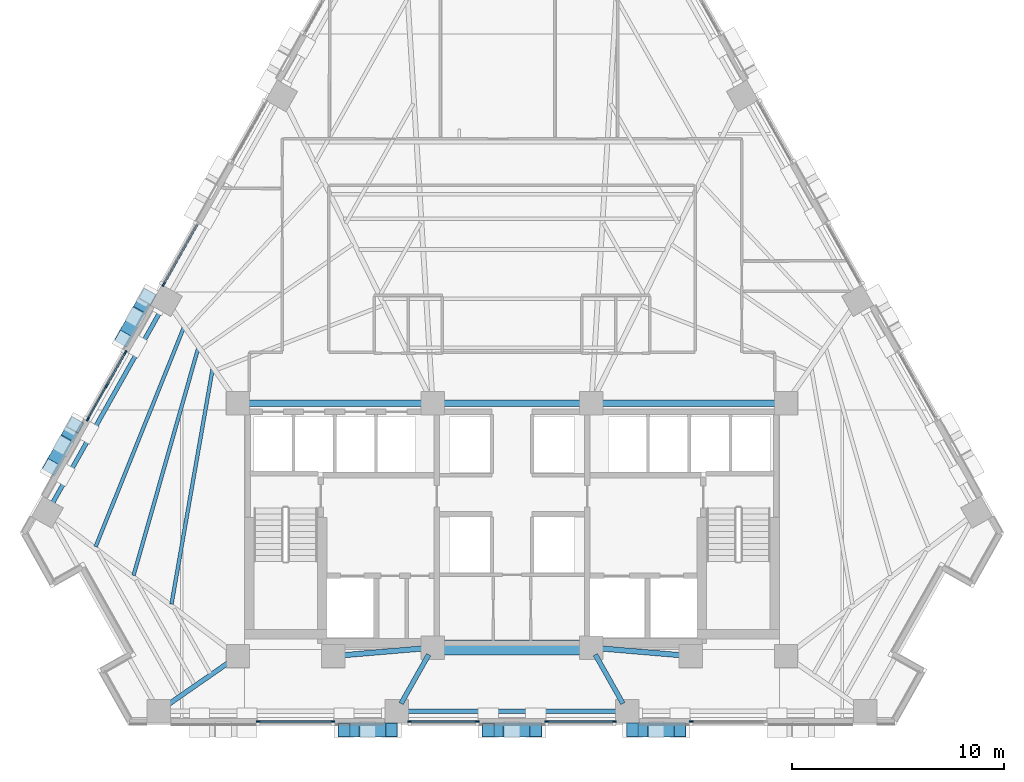
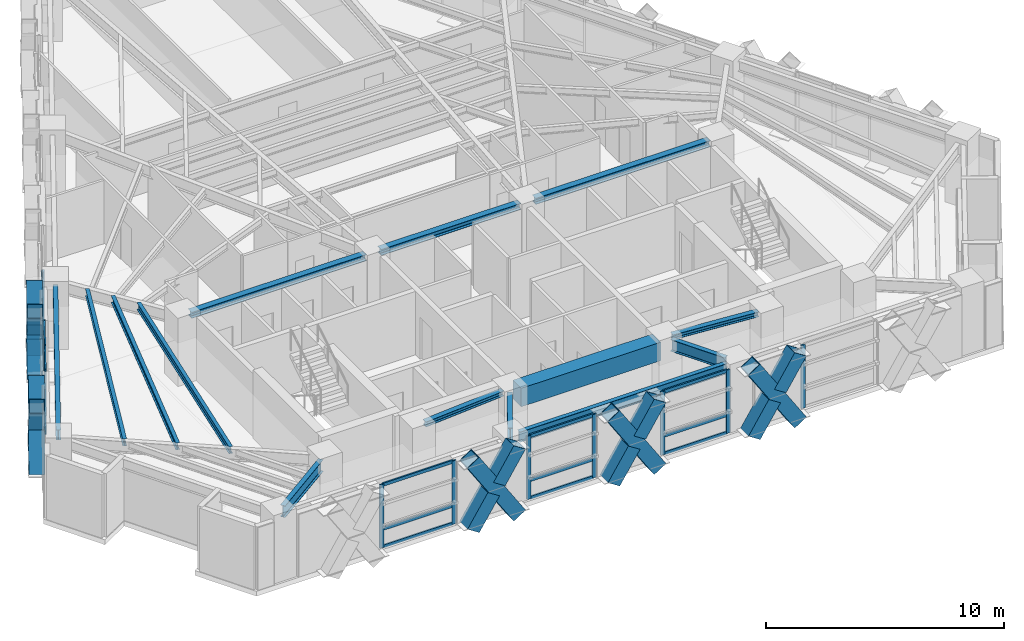
# One storey, part 2 of 14: 43 members, 14 beams, 6 elements without a shape of their own.
"""IFC4 building model written with IfcOpenShell, lengths in metres."""

from ifc_helpers import new_model, si_unit, direction, frame, origin, origin_2d, place, context, subcontext, project, spatial, rectangle, hollow_rectangle, i_section, extrude, material, material_profile, profile_set, type_object, element, aggregate, save


model = new_model("IFC4")

# Units and contexts
model_context = context("Model", 3, precision=1e-05, world=origin(), true_north=direction((0.0, 1.0)))
body_context = subcontext(model_context, "Body", "Model", "MODEL_VIEW")
ifc_project = project(units=[si_unit("LENGTHUNIT", "METRE"), si_unit("AREAUNIT", "SQUARE_METRE"), si_unit("VOLUMEUNIT", "CUBIC_METRE"), si_unit("PLANEANGLEUNIT", "RADIAN"), si_unit("MASSUNIT", "GRAM", prefix="KILO")], contexts=[model_context])

# Site, building, storey
site_placement = place(None, origin())
site = spatial("IfcSite", under=ifc_project, at=site_placement, CompositionType="ELEMENT")
building_placement = place(site_placement, origin())
building = spatial("IfcBuilding", under=site, at=building_placement, Name="Quenlor Broadcast Tower", CompositionType="ELEMENT")
storey_placement = place(building_placement, frame((0.0, 0.0, 80.10009765625)))
storey = spatial("IfcBuildingStorey", under=building, at=storey_placement, Name="L21", CompositionType="ELEMENT", Elevation=80.10009765625)

# Curtain wall, member
ifc_material_1 = material(Name="Architectural Terracotta and Low-E Glazing", Category="masonry")
curtain_wall_type = type_object("IfcCurtainWallType", Name="Unitised Terracotta Curtain Wall System Z2", PredefinedType="NOTDEFINED", material=ifc_material_1)
curtain_wall_1_placement = place(storey_placement, origin())
curtain_wall_1 = element("IfcCurtainWall", 1, at=curtain_wall_1_placement, inside=storey, type_object=curtain_wall_type, Name="L21 Curtain Wall CW2 (L21-SA-G1)", PredefinedType="NOTDEFINED")
ifc_material_2 = material(Name="Aluminium 6063-T6", Category="aluminium")
ifc_material_profile_1 = material_profile(ifc_material_2, rectangle(XDim=0.074951171875, YDim=0.199951171875, at=origin_2d()))
ifc_profile_set_1 = profile_set([ifc_material_profile_1], Name="Aluminium 6063-T6 MULL75x200")
member_type_1 = type_object("IfcMemberType", Name="CW2 Aluminium Mullion MULL_CW2", PredefinedType="MULLION", material=ifc_profile_set_1)
member_1_placement = place(storey_placement, frame((8.47119140625, -19.840087890625, 0.0), z_axis=(0.0, 0.0, 1.0), x_axis=(0.0, -1.0, 0.0)))
member_1 = element("IfcMember", 2, at=member_1_placement, type_object=member_type_1, Name="CW2 mullion 2", PredefinedType="MULLION", context=body_context, shape_type="SweptSolid", body=[
    extrude(rectangle(XDim=0.074951171875, YDim=0.199951171875, at=origin_2d()), origin(), (0.0, 0.0, 1.0), 3.25),
])
aggregate(curtain_wall_1, [member_1])

# Curtain wall, members
curtain_wall_2_placement = place(storey_placement, origin())
curtain_wall_2 = element("IfcCurtainWall", 3, at=curtain_wall_2_placement, inside=storey, type_object=curtain_wall_type, Name="L21 Curtain Wall CW2 (L21-SC-G1)", PredefinedType="NOTDEFINED")
member_2_placement = place(storey_placement, frame((-8.47119140625, -19.840087890625, 0.0), z_axis=(0.0, 0.0, 1.0), x_axis=(0.0, -1.0, 0.0)))
member_2 = element("IfcMember", 4, at=member_2_placement, type_object=member_type_1, Name="CW2 mullion 1", PredefinedType="MULLION", context=body_context, shape_type="SweptSolid", body=[
    extrude(rectangle(XDim=0.074951171875, YDim=0.199951171875, at=origin_2d()), origin(), (0.0, 0.0, 1.0), 3.25),
])
member_3_placement = place(storey_placement, frame((-11.981689453125, -19.840087890625, 0.0), z_axis=(0.0, 0.0, 1.0), x_axis=(0.0, -1.0, 0.0)))
member_3 = element("IfcMember", 5, at=member_3_placement, type_object=member_type_1, Name="CW2 mullion 2", PredefinedType="MULLION", context=body_context, shape_type="SweptSolid", body=[
    extrude(rectangle(XDim=0.074951171875, YDim=0.199951171875, at=origin_2d()), origin(), (0.0, 0.0, 1.0), 3.25),
])

curtain_wall_3_placement = place(storey_placement, origin())
curtain_wall_3 = element("IfcCurtainWall", 6, at=curtain_wall_3_placement, inside=storey, type_object=curtain_wall_type, Name="L21 Curtain Wall CW2 (L21-S-G1)", PredefinedType="NOTDEFINED")
member_4_placement = place(storey_placement, frame((4.835693359375, -19.840087890625, 0.0), z_axis=(0.0, 0.0, 1.0), x_axis=(0.0, -1.0, 0.0)))
member_4 = element("IfcMember", 7, at=member_4_placement, type_object=member_type_1, Name="CW2 mullion 1", PredefinedType="MULLION", context=body_context, shape_type="SweptSolid", body=[
    extrude(rectangle(XDim=0.074951171875, YDim=0.199951171875, at=origin_2d()), origin(), (0.0, 0.0, 1.0), 3.25),
])
member_5_placement = place(storey_placement, frame((1.653564453125, -19.840087890625, 0.0), z_axis=(0.0, 0.0, 1.0), x_axis=(0.0, -1.0, 0.0)))
member_5 = element("IfcMember", 8, at=member_5_placement, type_object=member_type_1, Name="CW2 mullion 2", PredefinedType="MULLION", context=body_context, shape_type="SweptSolid", body=[
    extrude(rectangle(XDim=0.074951171875, YDim=0.199951171875, at=origin_2d()), origin(), (0.0, 0.0, 1.0), 3.25),
])

curtain_wall_4_placement = place(storey_placement, origin())
curtain_wall_4 = element("IfcCurtainWall", 9, at=curtain_wall_4_placement, inside=storey, type_object=curtain_wall_type, Name="L21 Curtain Wall CW2 (L21-S-G2)", PredefinedType="NOTDEFINED")
member_6_placement = place(storey_placement, frame((-1.653564453125, -19.840087890625, 0.0), z_axis=(0.0, 0.0, 1.0), x_axis=(0.0, -1.0, 0.0)))
member_6 = element("IfcMember", 10, at=member_6_placement, type_object=member_type_1, Name="CW2 mullion 1", PredefinedType="MULLION", context=body_context, shape_type="SweptSolid", body=[
    extrude(rectangle(XDim=0.074951171875, YDim=0.199951171875, at=origin_2d()), origin(), (0.0, 0.0, 1.0), 3.25),
])
member_7_placement = place(storey_placement, frame((-4.835693359375, -19.840087890625, 0.0), z_axis=(0.0, 0.0, 1.0), x_axis=(0.0, -1.0, 0.0)))
member_7 = element("IfcMember", 11, at=member_7_placement, type_object=member_type_1, Name="CW2 mullion 2", PredefinedType="MULLION", context=body_context, shape_type="SweptSolid", body=[
    extrude(rectangle(XDim=0.074951171875, YDim=0.199951171875, at=origin_2d()), origin(), (0.0, 0.0, 1.0), 3.25),
])

curtain_wall_5_placement = place(storey_placement, origin())
curtain_wall_5 = element("IfcCurtainWall", 12, at=curtain_wall_5_placement, inside=storey, type_object=curtain_wall_type, Name="L21 Curtain Wall CW2 (L21-NWA-G1)", PredefinedType="NOTDEFINED")
member_8_placement = place(storey_placement, frame((-20.0400390625, -5.55322265625, 0.0), z_axis=(0.0, 0.0, 1.0), x_axis=(-0.871566839915, 0.490276701018, 0.0)))
member_8 = element("IfcMember", 13, at=member_8_placement, type_object=member_type_1, Name="CW2 mullion 1", PredefinedType="MULLION", context=body_context, shape_type="SweptSolid", body=[
    extrude(rectangle(XDim=0.074951171875, YDim=0.199951171875, at=origin_2d()), origin(), (0.0, 0.0, 1.0), 3.25),
])
member_9_placement = place(storey_placement, frame((-19.155029296875, -3.97998046875, 0.0), z_axis=(0.0, 0.0, 1.0), x_axis=(-0.871566839915, 0.490276701018, 0.0)))
member_9 = element("IfcMember", 14, at=member_9_placement, type_object=member_type_1, Name="CW2 mullion 2", PredefinedType="MULLION", context=body_context, shape_type="SweptSolid", body=[
    extrude(rectangle(XDim=0.074951171875, YDim=0.199951171875, at=origin_2d()), origin(), (0.0, 0.0, 1.0), 3.25),
])
member_10_placement = place(storey_placement, frame((-18.270263671875, -2.406982421875, 0.0), z_axis=(0.0, 0.0, 1.0), x_axis=(-0.871566839915, 0.490276701018, 0.0)))
member_10 = element("IfcMember", 15, at=member_10_placement, type_object=member_type_1, Name="CW2 mullion 3", PredefinedType="MULLION", context=body_context, shape_type="SweptSolid", body=[
    extrude(rectangle(XDim=0.074951171875, YDim=0.199951171875, at=origin_2d()), origin(), (0.0, 0.0, 1.0), 3.25),
])

# Curtain wall, member
curtain_wall_6_placement = place(storey_placement, origin())
curtain_wall_6 = element("IfcCurtainWall", 16, at=curtain_wall_6_placement, inside=storey, type_object=curtain_wall_type, Name="L21 Curtain Wall CW2 (L21-NW-G1)", PredefinedType="NOTDEFINED")
member_11_placement = place(storey_placement, frame((-16.459228515625, 0.812744140625, 0.0), z_axis=(0.0, 0.0, 1.0), x_axis=(-0.871575537123, 0.490261239636, 0.0)))
member_11 = element("IfcMember", 17, at=member_11_placement, type_object=member_type_1, Name="CW2 mullion 1", PredefinedType="MULLION", context=body_context, shape_type="SweptSolid", body=[
    extrude(rectangle(XDim=0.074951171875, YDim=0.199951171875, at=origin_2d()), origin(), (0.0, 0.0, 1.0), 3.25),
])

# Member
ifc_material_3 = material(Name="Aluminium 6063-T6", Category="aluminium")
ifc_material_profile_2 = material_profile(ifc_material_3, rectangle(XDim=0.074951171875, YDim=0.1650390625, at=origin_2d()))
ifc_profile_set_2 = profile_set([ifc_material_profile_2], Name="Aluminium 6063-T6 TRAN75x165")
member_type_2 = type_object("IfcMemberType", Name="CW2 Aluminium Transom TRAN_CW2", PredefinedType="USERDEFINED", material=ifc_profile_set_2)
member_12_placement = place(storey_placement, frame((-8.508544921875, -19.840087890625, 0.037353515625), z_axis=(-1.0, 0.0, 0.0), x_axis=(0.0, -1.0, 0.0)))
member_12 = element("IfcMember", 18, at=member_12_placement, type_object=member_type_2, Name="CW2 transom 1.1", ObjectType="TRANSOM", PredefinedType="USERDEFINED", context=body_context, shape_type="SweptSolid", body=[
    extrude(rectangle(XDim=0.074951171875, YDim=0.1650390625, at=origin_2d()), origin(), (0.0, 0.0, 1.0), 3.435546875),
])

member_13_placement = place(storey_placement, frame((-8.508544921875, -19.840087890625, 0.949951171875), z_axis=(-1.0, 0.0, 0.0), x_axis=(0.0, -1.0, 0.0)))
member_13 = element("IfcMember", 19, at=member_13_placement, type_object=member_type_2, Name="CW2 transom 1.2", ObjectType="TRANSOM", PredefinedType="USERDEFINED", context=body_context, shape_type="SweptSolid", body=[
    extrude(rectangle(XDim=0.074951171875, YDim=0.1650390625, at=origin_2d()), origin(), (0.0, 0.0, 1.0), 3.435546875),
])

member_14_placement = place(storey_placement, frame((-8.508544921875, -19.840087890625, 3.21240234375), z_axis=(-1.0, 0.0, 0.0), x_axis=(0.0, -1.0, 0.0)))
member_14 = element("IfcMember", 20, at=member_14_placement, type_object=member_type_2, Name="CW2 transom 1.3", ObjectType="TRANSOM", PredefinedType="USERDEFINED", context=body_context, shape_type="SweptSolid", body=[
    extrude(rectangle(XDim=0.074951171875, YDim=0.1650390625, at=origin_2d()), origin(), (0.0, 0.0, 1.0), 3.435546875),
])

aggregate(curtain_wall_2, [member_2, member_3, member_12, member_13, member_14])

member_15_placement = place(storey_placement, frame((4.798095703125, -19.840087890625, 0.037353515625), z_axis=(-1.0, 0.0, 0.0), x_axis=(0.0, -1.0, 0.0)))
member_15 = element("IfcMember", 21, at=member_15_placement, type_object=member_type_2, Name="CW2 transom 1.1", ObjectType="TRANSOM", PredefinedType="USERDEFINED", context=body_context, shape_type="SweptSolid", body=[
    extrude(rectangle(XDim=0.074951171875, YDim=0.1650390625, at=origin_2d()), origin(), (0.0, 0.0, 1.0), 3.107177734375),
])

member_16_placement = place(storey_placement, frame((4.798095703125, -19.840087890625, 0.949951171875), z_axis=(-1.0, 0.0, 0.0), x_axis=(0.0, -1.0, 0.0)))
member_16 = element("IfcMember", 22, at=member_16_placement, type_object=member_type_2, Name="CW2 transom 1.2", ObjectType="TRANSOM", PredefinedType="USERDEFINED", context=body_context, shape_type="SweptSolid", body=[
    extrude(rectangle(XDim=0.074951171875, YDim=0.1650390625, at=origin_2d()), origin(), (0.0, 0.0, 1.0), 3.107177734375),
])

member_17_placement = place(storey_placement, frame((4.798095703125, -19.840087890625, 3.21240234375), z_axis=(-1.0, 0.0, 0.0), x_axis=(0.0, -1.0, 0.0)))
member_17 = element("IfcMember", 23, at=member_17_placement, type_object=member_type_2, Name="CW2 transom 1.3", ObjectType="TRANSOM", PredefinedType="USERDEFINED", context=body_context, shape_type="SweptSolid", body=[
    extrude(rectangle(XDim=0.074951171875, YDim=0.1650390625, at=origin_2d()), origin(), (0.0, 0.0, 1.0), 3.107177734375),
])

aggregate(curtain_wall_3, [member_4, member_5, member_15, member_16, member_17])

member_18_placement = place(storey_placement, frame((-1.69091796875, -19.840087890625, 0.037353515625), z_axis=(-1.0, 0.0, 0.0), x_axis=(0.0, -1.0, 0.0)))
member_18 = element("IfcMember", 24, at=member_18_placement, type_object=member_type_2, Name="CW2 transom 1.1", ObjectType="TRANSOM", PredefinedType="USERDEFINED", context=body_context, shape_type="SweptSolid", body=[
    extrude(rectangle(XDim=0.074951171875, YDim=0.1650390625, at=origin_2d()), origin(), (0.0, 0.0, 1.0), 3.107177734375),
])

member_19_placement = place(storey_placement, frame((-1.69091796875, -19.840087890625, 0.949951171875), z_axis=(-1.0, 0.0, 0.0), x_axis=(0.0, -1.0, 0.0)))
member_19 = element("IfcMember", 25, at=member_19_placement, type_object=member_type_2, Name="CW2 transom 1.2", ObjectType="TRANSOM", PredefinedType="USERDEFINED", context=body_context, shape_type="SweptSolid", body=[
    extrude(rectangle(XDim=0.074951171875, YDim=0.1650390625, at=origin_2d()), origin(), (0.0, 0.0, 1.0), 3.107177734375),
])

member_20_placement = place(storey_placement, frame((-1.69091796875, -19.840087890625, 3.21240234375), z_axis=(-1.0, 0.0, 0.0), x_axis=(0.0, -1.0, 0.0)))
member_20 = element("IfcMember", 26, at=member_20_placement, type_object=member_type_2, Name="CW2 transom 1.3", ObjectType="TRANSOM", PredefinedType="USERDEFINED", context=body_context, shape_type="SweptSolid", body=[
    extrude(rectangle(XDim=0.074951171875, YDim=0.1650390625, at=origin_2d()), origin(), (0.0, 0.0, 1.0), 3.107177734375),
])

aggregate(curtain_wall_4, [member_6, member_7, member_18, member_19, member_20])

member_21_placement = place(storey_placement, frame((-20.021728515625, -5.5205078125, 0.037353515625), z_axis=(0.490261239633, 0.871575537125, 0.0), x_axis=(-0.871575537125, 0.490261239633, 0.0)))
member_21 = element("IfcMember", 27, at=member_21_placement, type_object=member_type_2, Name="CW2 transom 1.1", ObjectType="TRANSOM", PredefinedType="USERDEFINED", context=body_context, shape_type="SweptSolid", body=[
    extrude(rectangle(XDim=0.074951171875, YDim=0.1650390625, at=origin_2d()), origin(), (0.0, 0.0, 1.0), 1.72998046875),
])

member_22_placement = place(storey_placement, frame((-20.021728515625, -5.5205078125, 0.949951171875), z_axis=(0.490261239633, 0.871575537125, 0.0), x_axis=(-0.871575537125, 0.490261239633, 0.0)))
member_22 = element("IfcMember", 28, at=member_22_placement, type_object=member_type_2, Name="CW2 transom 1.2", ObjectType="TRANSOM", PredefinedType="USERDEFINED", context=body_context, shape_type="SweptSolid", body=[
    extrude(rectangle(XDim=0.074951171875, YDim=0.1650390625, at=origin_2d()), origin(), (0.0, 0.0, 1.0), 1.72998046875),
])

member_23_placement = place(storey_placement, frame((-20.021728515625, -5.5205078125, 3.21240234375), z_axis=(0.490261239633, 0.871575537125, 0.0), x_axis=(-0.871575537125, 0.490261239633, 0.0)))
member_23 = element("IfcMember", 29, at=member_23_placement, type_object=member_type_2, Name="CW2 transom 1.3", ObjectType="TRANSOM", PredefinedType="USERDEFINED", context=body_context, shape_type="SweptSolid", body=[
    extrude(rectangle(XDim=0.074951171875, YDim=0.1650390625, at=origin_2d()), origin(), (0.0, 0.0, 1.0), 1.72998046875),
])

member_24_placement = place(storey_placement, frame((-19.13671875, -3.947265625, 0.037353515625), z_axis=(0.490261239633, 0.871575537125, 0.0), x_axis=(-0.871575537125, 0.490261239633, 0.0)))
member_24 = element("IfcMember", 30, at=member_24_placement, type_object=member_type_2, Name="CW2 transom 2.1", ObjectType="TRANSOM", PredefinedType="USERDEFINED", context=body_context, shape_type="SweptSolid", body=[
    extrude(rectangle(XDim=0.074951171875, YDim=0.1650390625, at=origin_2d()), origin(), (0.0, 0.0, 1.0), 1.72998046875),
])

member_25_placement = place(storey_placement, frame((-19.13671875, -3.947265625, 0.949951171875), z_axis=(0.490261239633, 0.871575537125, 0.0), x_axis=(-0.871575537125, 0.490261239633, 0.0)))
member_25 = element("IfcMember", 31, at=member_25_placement, type_object=member_type_2, Name="CW2 transom 2.2", ObjectType="TRANSOM", PredefinedType="USERDEFINED", context=body_context, shape_type="SweptSolid", body=[
    extrude(rectangle(XDim=0.074951171875, YDim=0.1650390625, at=origin_2d()), origin(), (0.0, 0.0, 1.0), 1.72998046875),
])

member_26_placement = place(storey_placement, frame((-19.13671875, -3.947265625, 3.21240234375), z_axis=(0.490261239633, 0.871575537125, 0.0), x_axis=(-0.871575537125, 0.490261239633, 0.0)))
member_26 = element("IfcMember", 32, at=member_26_placement, type_object=member_type_2, Name="CW2 transom 2.3", ObjectType="TRANSOM", PredefinedType="USERDEFINED", context=body_context, shape_type="SweptSolid", body=[
    extrude(rectangle(XDim=0.074951171875, YDim=0.1650390625, at=origin_2d()), origin(), (0.0, 0.0, 1.0), 1.72998046875),
])

aggregate(curtain_wall_5, [member_8, member_9, member_10, member_21, member_22, member_23, member_24, member_25, member_26])

member_27_placement = place(storey_placement, frame((-16.44091796875, 0.845458984375, 0.037353515625), z_axis=(0.490297543358, 0.871555115283, 0.0), x_axis=(-0.871555115283, 0.490297543358, 0.0)))
member_27 = element("IfcMember", 33, at=member_27_placement, type_object=member_type_2, Name="CW2 transom 1.1", ObjectType="TRANSOM", PredefinedType="USERDEFINED", context=body_context, shape_type="SweptSolid", body=[
    extrude(rectangle(XDim=0.074951171875, YDim=0.1650390625, at=origin_2d()), origin(), (0.0, 0.0, 1.0), 3.19287109375),
])

member_28_placement = place(storey_placement, frame((-16.44091796875, 0.845458984375, 0.949951171875), z_axis=(0.490297543358, 0.871555115283, 0.0), x_axis=(-0.871555115283, 0.490297543358, 0.0)))
member_28 = element("IfcMember", 34, at=member_28_placement, type_object=member_type_2, Name="CW2 transom 1.2", ObjectType="TRANSOM", PredefinedType="USERDEFINED", context=body_context, shape_type="SweptSolid", body=[
    extrude(rectangle(XDim=0.074951171875, YDim=0.1650390625, at=origin_2d()), origin(), (0.0, 0.0, 1.0), 3.19287109375),
])

aggregate(curtain_wall_6, [member_11, member_27, member_28])

# Beams
ifc_material_4 = material(Name="Concrete C50/60", Category="concrete")
ifc_material_profile_3 = material_profile(ifc_material_4, rectangle(XDim=0.699951171875, YDim=0.949951171875, at=origin_2d()))
ifc_profile_set_3 = profile_set([ifc_material_profile_3], Name="Concrete C50/60 RCB700x950")
beam_type_1 = type_object("IfcBeamType", Name="Core Coupling Beam Concrete C50/60 700x950", PredefinedType="BEAM", material=ifc_profile_set_3)
beam_1_placement = place(storey_placement, frame((-3.389892578125, -16.35009765625, 2.77490234375), z_axis=(1.0, 0.0, 0.0), x_axis=(0.0, 1.0, 0.0)))
element("IfcBeam", 35, at=beam_1_placement, inside=storey, type_object=beam_type_1, Name="L21 Core Coupling Beam 6", PredefinedType="BEAM", context=body_context, shape_type="SweptSolid", body=[
    extrude(rectangle(XDim=0.699951171875, YDim=0.949951171875, at=origin_2d()), origin(), (0.0, 0.0, 1.0), 6.77978515625),
])
ifc_material_5 = material(Name="Steel S355", Category="steel")
ifc_material_profile_4 = material_profile(ifc_material_5, i_section(OverallWidth=0.304931640625, OverallDepth=0.30810546875, WebThickness=0.010009765625, FlangeThickness=0.015380859375, FilletRadius=0.0166015625, at=origin_2d()))
ifc_profile_set_4 = profile_set([ifc_material_profile_4], Name="Steel S355 310UC96.8")
beam_type_2 = type_object("IfcBeamType", Name="Core Header Beam Steel S355 310UC96.8", PredefinedType="BEAM", material=ifc_profile_set_4)
beam_2_placement = place(storey_placement, frame((-3.389892578125, -4.800048828125, 3.095947265625), z_axis=(1.0, 0.0, 0.0), x_axis=(0.0, 1.0, 0.0)))
element("IfcBeam", 36, at=beam_2_placement, inside=storey, type_object=beam_type_2, Name="L21 Core Header Beam 2", PredefinedType="BEAM", context=body_context, shape_type="SweptSolid", body=[
    extrude(i_section(OverallWidth=0.304931640625, OverallDepth=0.30810546875, WebThickness=0.010009765625, FlangeThickness=0.015380859375, FilletRadius=0.0166015625, at=origin_2d()), origin(), (0.0, 0.0, 1.0), 6.77978515625),
])
ifc_material_6 = material(Name="Steel S355", Category="steel")
ifc_material_profile_5 = material_profile(ifc_material_6, i_section(OverallWidth=0.25390625, OverallDepth=0.25390625, WebThickness=0.008544921875, FlangeThickness=0.01416015625, FilletRadius=0.013916015625, at=origin_2d()))
ifc_profile_set_5 = profile_set([ifc_material_profile_5], Name="Steel S355 250UC72.9")
beam_type_3 = type_object("IfcBeamType", Name="Core Opening Lintel Beam Steel S355 250UC72.9", PredefinedType="LINTEL", material=ifc_profile_set_5)
for number, where, z_axis, x_axis, name in (
    (37, (-8.09130859375, -16.719482421875, 3.123046875), (0.996399763903, 0.084779186679, 0.0), (-0.084779186679, 0.996399763903, 0.0), "L21 Core Opening Lintel Beam 4"),
    (38, (4.108642578125, -16.380615234375, 3.123046875), (0.996399763903, -0.084779186679, 0.0), (0.084779186679, 0.996399763903, 0.0), "L21 Core Opening Lintel Beam 5"),
):
    element("IfcBeam", number, at=place(storey_placement, frame(where, z_axis=z_axis, x_axis=x_axis)), inside=storey, type_object=beam_type_3, Name=name, PredefinedType="LINTEL", context=body_context, shape_type="SweptSolid", body=[
        extrude(i_section(OverallWidth=0.25390625, OverallDepth=0.25390625, WebThickness=0.008544921875, FlangeThickness=0.01416015625, FilletRadius=0.013916015625, at=origin_2d()), origin(), (0.0, 0.0, 1.0), 3.9970703125),
    ])
ifc_material_7 = material(Name="Steel S355", Category="steel")
ifc_material_profile_6 = material_profile(ifc_material_7, i_section(OverallWidth=0.306884765625, OverallDepth=0.314697265625, WebThickness=0.011962890625, FlangeThickness=0.018798828125, FilletRadius=0.0166015625, at=origin_2d()))
ifc_profile_set_6 = profile_set([ifc_material_profile_6], Name="Steel S355 310UC118")
beam_type_4 = type_object("IfcBeamType", Name="Core Tie Beam Steel S355 310UC118", PredefinedType="BEAM", material=ifc_profile_set_6)
for number, where, z_axis, x_axis, name in (
    (39, (-12.590087890625, -4.800048828125, 3.092529296875), (1.0, 0.0, 0.0), (0.0, 1.0, 0.0), "L21 Core Tie Beam 1"),
    (40, (4.110107421875, -4.800048828125, 3.092529296875), (1.0, 0.0, 0.0), (0.0, 1.0, 0.0), "L21 Core Tie Beam 3"),
):
    element("IfcBeam", number, at=place(storey_placement, frame(where, z_axis=z_axis, x_axis=x_axis)), inside=storey, type_object=beam_type_4, Name=name, PredefinedType="BEAM", context=body_context, shape_type="SweptSolid", body=[
        extrude(i_section(OverallWidth=0.306884765625, OverallDepth=0.314697265625, WebThickness=0.011962890625, FlangeThickness=0.018798828125, FilletRadius=0.0166015625, at=origin_2d()), origin(), (0.0, 0.0, 1.0), 8.47998046875),
    ])

# Members
ifc_material_8 = material(Name="Steel S355", Category="steel")
ifc_material_profile_7 = material_profile(ifc_material_8, hollow_rectangle(XDim=0.679931640625, YDim=0.679931640625, WallThickness=0.030029296875, at=origin_2d()))
ifc_profile_set_7 = profile_set([ifc_material_profile_7], Name="Steel S355 RHS680x680x30")
member_type_3 = type_object("IfcMemberType", Name="Perimeter Diagonal Lattice Brace Z2 Steel S355 RHS680x30", PredefinedType="BRACE", material=ifc_profile_set_7)
member_29_placement = place(storey_placement, frame((7.940185546875, -20.235107421875, -0.1201171875), z_axis=(-0.539926440573, 0.0, 0.841712206618), x_axis=(0.0, -1.0, 0.0)))
element("IfcMember", 41, at=member_29_placement, inside=storey, type_object=member_type_3, Name="L21 Perimeter Diamond Lattice S-C2XA", PredefinedType="BRACE", context=body_context, shape_type="SweptSolid", body=[
    extrude(hollow_rectangle(XDim=0.679931640625, YDim=0.679931640625, WallThickness=0.030029296875, at=origin_2d()), origin(), (0.0, 0.0, 1.0), 4.158203125),
])
for number, where, z_axis, x_axis, name in (
    (42, (5.695068359375, -20.235107421875, -0.1201171875), (0.539920793993, 0.0, 0.841715828658), (0.0, 1.0, 0.0), "L21 Perimeter Diamond Lattice S-C2XB1"),
    (43, (6.95263671875, -20.235107421875, 1.84033203125), (0.539920793993, 0.0, 0.841715828658), (0.0, 1.0, 0.0), "L21 Perimeter Diamond Lattice S-C2XB2"),
):
    element("IfcMember", number, at=place(storey_placement, frame(where, z_axis=z_axis, x_axis=x_axis)), inside=storey, type_object=member_type_3, Name=name, PredefinedType="BRACE", context=body_context, shape_type="SweptSolid", body=[
        extrude(hollow_rectangle(XDim=0.679931640625, YDim=0.679931640625, WallThickness=0.030029296875, at=origin_2d()), origin(), (0.0, 0.0, 1.0), 1.8291015625),
    ])
member_30_placement = place(storey_placement, frame((1.12255859375, -20.235107421875, -0.1201171875), z_axis=(-0.539926440573, 0.0, 0.841712206618), x_axis=(0.0, -1.0, 0.0)))
element("IfcMember", 44, at=member_30_placement, inside=storey, type_object=member_type_3, Name="L21 Perimeter Diamond Lattice S-C3XA", PredefinedType="BRACE", context=body_context, shape_type="SweptSolid", body=[
    extrude(hollow_rectangle(XDim=0.679931640625, YDim=0.679931640625, WallThickness=0.030029296875, at=origin_2d()), origin(), (0.0, 0.0, 1.0), 4.158203125),
])
for number, where, z_axis, x_axis, name in (
    (45, (-1.12255859375, -20.235107421875, -0.1201171875), (0.539920793993, 0.0, 0.841715828658), (0.0, 1.0, 0.0), "L21 Perimeter Diamond Lattice S-C3XB1"),
    (46, (0.135009765625, -20.235107421875, 1.84033203125), (0.539920793993, 0.0, 0.841715828658), (0.0, 1.0, 0.0), "L21 Perimeter Diamond Lattice S-C3XB2"),
):
    element("IfcMember", number, at=place(storey_placement, frame(where, z_axis=z_axis, x_axis=x_axis)), inside=storey, type_object=member_type_3, Name=name, PredefinedType="BRACE", context=body_context, shape_type="SweptSolid", body=[
        extrude(hollow_rectangle(XDim=0.679931640625, YDim=0.679931640625, WallThickness=0.030029296875, at=origin_2d()), origin(), (0.0, 0.0, 1.0), 1.8291015625),
    ])
member_31_placement = place(storey_placement, frame((-5.695068359375, -20.235107421875, -0.1201171875), z_axis=(-0.539926440573, 0.0, 0.841712206618), x_axis=(0.0, -1.0, 0.0)))
element("IfcMember", 47, at=member_31_placement, inside=storey, type_object=member_type_3, Name="L21 Perimeter Diamond Lattice S-C4XA", PredefinedType="BRACE", context=body_context, shape_type="SweptSolid", body=[
    extrude(hollow_rectangle(XDim=0.679931640625, YDim=0.679931640625, WallThickness=0.030029296875, at=origin_2d()), origin(), (0.0, 0.0, 1.0), 4.158203125),
])
for number, where, z_axis, x_axis, name in (
    (48, (-7.940185546875, -20.235107421875, -0.1201171875), (0.539920793993, 0.0, 0.841715828658), (0.0, 1.0, 0.0), "L21 Perimeter Diamond Lattice S-C4XB1"),
    (49, (-6.6826171875, -20.235107421875, 1.84033203125), (0.539920793993, 0.0, 0.841715828658), (0.0, 1.0, 0.0), "L21 Perimeter Diamond Lattice S-C4XB2"),
):
    element("IfcMember", number, at=place(storey_placement, frame(where, z_axis=z_axis, x_axis=x_axis)), inside=storey, type_object=member_type_3, Name=name, PredefinedType="BRACE", context=body_context, shape_type="SweptSolid", body=[
        extrude(hollow_rectangle(XDim=0.679931640625, YDim=0.679931640625, WallThickness=0.030029296875, at=origin_2d()), origin(), (0.0, 0.0, 1.0), 1.8291015625),
    ])
member_32_placement = place(storey_placement, frame((-21.76806640625, -7.8193359375, -0.1201171875), z_axis=(0.268696511206, 0.477585438485, 0.836489290913), x_axis=(-0.871532878923, 0.490337068716, 0.0)))
element("IfcMember", 50, at=member_32_placement, inside=storey, type_object=member_type_3, Name="L21 Perimeter Diamond Lattice NW-C1XA", PredefinedType="BRACE", context=body_context, shape_type="SweptSolid", body=[
    extrude(hollow_rectangle(XDim=0.679931640625, YDim=0.679931640625, WallThickness=0.030029296875, at=origin_2d()), origin(), (0.0, 0.0, 1.0), 4.18408203125),
])
member_33_placement = place(storey_placement, frame((-20.643798828125, -5.821044921875, -0.1201171875), z_axis=(-0.268766711364, -0.477498254953, 0.836516509926), x_axis=(0.871439858367, -0.49050236824, 0.0)))
element("IfcMember", 51, at=member_33_placement, inside=storey, type_object=member_type_3, Name="L21 Perimeter Diamond Lattice NW-C1XB1", PredefinedType="BRACE", context=body_context, shape_type="SweptSolid", body=[
    extrude(hollow_rectangle(XDim=0.679931640625, YDim=0.679931640625, WallThickness=0.030029296875, at=origin_2d()), origin(), (0.0, 0.0, 1.0), 1.84228515625),
])
member_34_placement = place(storey_placement, frame((-21.273193359375, -6.939453125, 1.839111328125), z_axis=(-0.268656529223, -0.477670513725, 0.836453554971), x_axis=(0.871601370751, -0.490215310353, 0.0)))
element("IfcMember", 52, at=member_34_placement, inside=storey, type_object=member_type_3, Name="L21 Perimeter Diamond Lattice NW-C1XB2", PredefinedType="BRACE", context=body_context, shape_type="SweptSolid", body=[
    extrude(hollow_rectangle(XDim=0.679931640625, YDim=0.679931640625, WallThickness=0.030029296875, at=origin_2d()), origin(), (0.0, 0.0, 1.0), 1.842041015625),
])
member_35_placement = place(storey_placement, frame((-18.35498046875, -1.751708984375, -0.1201171875), z_axis=(0.268696511206, 0.477585438485, 0.836489290913), x_axis=(-0.871532878923, 0.490337068716, 0.0)))
element("IfcMember", 53, at=member_35_placement, inside=storey, type_object=member_type_3, Name="L21 Perimeter Diamond Lattice NW-C2XA", PredefinedType="BRACE", context=body_context, shape_type="SweptSolid", body=[
    extrude(hollow_rectangle(XDim=0.679931640625, YDim=0.679931640625, WallThickness=0.030029296875, at=origin_2d()), origin(), (0.0, 0.0, 1.0), 4.18408203125),
])
for number, where, z_axis, x_axis, name in (
    (54, (-17.230712890625, 0.24658203125, -0.1201171875), (-0.268643750061, -0.477515259729, 0.836546300141), (0.871543234879, -0.490318661421, 0.0), "L21 Perimeter Diamond Lattice NW-C2XB1"),
    (55, (-17.860107421875, -0.871826171875, 1.839111328125), (-0.268656529223, -0.477670513725, 0.836453554971), (0.871601370751, -0.490215310353, 0.0), "L21 Perimeter Diamond Lattice NW-C2XB2"),
):
    element("IfcMember", number, at=place(storey_placement, frame(where, z_axis=z_axis, x_axis=x_axis)), inside=storey, type_object=member_type_3, Name=name, PredefinedType="BRACE", context=body_context, shape_type="SweptSolid", body=[
        extrude(hollow_rectangle(XDim=0.679931640625, YDim=0.679931640625, WallThickness=0.030029296875, at=origin_2d()), origin(), (0.0, 0.0, 1.0), 1.842041015625),
    ])

# Beams
ifc_material_9 = material(Name="Steel S355", Category="steel")
ifc_material_profile_8 = material_profile(ifc_material_9, i_section(OverallWidth=0.208984375, OverallDepth=0.5283203125, WebThickness=0.009521484375, FlangeThickness=0.01318359375, FilletRadius=0.013916015625, at=origin_2d()))
ifc_profile_set_8 = profile_set([ifc_material_profile_8], Name="Steel S355 530UB82.0")
beam_type_5 = type_object("IfcBeamType", Name="Perimeter Spandrel Beam Z2 Steel S355 530UB82.0", PredefinedType="SPANDREL", material=ifc_profile_set_8)
beam_3_placement = place(storey_placement, frame((-5.033203125, -19.35009765625, 2.98583984375), z_axis=(1.0, 0.0, 0.0), x_axis=(0.0, 1.0, 0.0)))
element("IfcBeam", 56, at=beam_3_placement, inside=storey, type_object=beam_type_5, Name="L21 Spandrel Beam S2-S3", PredefinedType="SPANDREL", context=body_context, shape_type="SweptSolid", body=[
    extrude(i_section(OverallWidth=0.208984375, OverallDepth=0.5283203125, WebThickness=0.009521484375, FlangeThickness=0.01318359375, FilletRadius=0.013916015625, at=origin_2d()), origin(), (0.0, 0.0, 1.0), 10.06640625),
])
beam_4_placement = place(storey_placement, frame((-16.531005859375, -0.314453125, 2.98583984375), z_axis=(-0.490263415828, -0.871574313011, 0.0), x_axis=(0.871574313011, -0.490263415828, 0.0)))
element("IfcBeam", 57, at=beam_4_placement, inside=storey, type_object=beam_type_5, Name="L21 Spandrel Beam NW3-NW4", PredefinedType="SPANDREL", context=body_context, shape_type="SweptSolid", body=[
    extrude(i_section(OverallWidth=0.208984375, OverallDepth=0.5283203125, WebThickness=0.009521484375, FlangeThickness=0.01318359375, FilletRadius=0.013916015625, at=origin_2d()), origin(), (0.0, 0.0, 1.0), 10.65283203125),
])
ifc_material_10 = material(Name="Steel S355", Category="steel")
ifc_material_profile_9 = material_profile(ifc_material_10, i_section(OverallWidth=0.172119140625, OverallDepth=0.358642578125, WebThickness=0.008056640625, FlangeThickness=0.012939453125, FilletRadius=0.011474609375, at=origin_2d()))
ifc_profile_set_9 = profile_set([ifc_material_profile_9], Name="Steel S355 360UB56.7")
beam_type_6 = type_object("IfcBeamType", Name="Tower Composite Joist Z2-Z3 Steel S355 360UB56.7", PredefinedType="JOIST", material=ifc_profile_set_9)
beam_5_placement = place(storey_placement, frame((-16.087890625, -14.29345703125, 3.070556640625), z_axis=(0.172120396521, 0.985075920476, 0.0), x_axis=(-0.985075920476, 0.172120396521, 0.0)))
element("IfcBeam", 58, at=beam_5_placement, inside=storey, type_object=beam_type_6, Name="L21 Secondary Composite Joist 13", PredefinedType="JOIST", context=body_context, shape_type="SweptSolid", body=[
    extrude(i_section(OverallWidth=0.172119140625, OverallDepth=0.358642578125, WebThickness=0.008056640625, FlangeThickness=0.012939453125, FilletRadius=0.011474609375, at=origin_2d()), origin(), (0.0, 0.0, 1.0), 11.27783203125),
])
beam_6_placement = place(storey_placement, frame((-17.880615234375, -12.9365234375, 3.070556640625), z_axis=(0.273563993601, 0.96185380459, 0.0), x_axis=(-0.96185380459, 0.273563993601, 0.0)))
element("IfcBeam", 59, at=beam_6_placement, inside=storey, type_object=beam_type_6, Name="L21 Secondary Composite Joist 14", PredefinedType="JOIST", context=body_context, shape_type="SweptSolid", body=[
    extrude(i_section(OverallWidth=0.172119140625, OverallDepth=0.358642578125, WebThickness=0.008056640625, FlangeThickness=0.012939453125, FilletRadius=0.011474609375, at=origin_2d()), origin(), (0.0, 0.0, 1.0), 11.1484375),
])
beam_7_placement = place(storey_placement, frame((-19.673583984375, -11.580810546875, 3.070556640625), z_axis=(0.373180395983, 0.92775880058, 0.0), x_axis=(-0.92775880058, 0.373180395983, 0.0)))
element("IfcBeam", 60, at=beam_7_placement, inside=storey, type_object=beam_type_6, Name="L21 Secondary Composite Joist 15", PredefinedType="JOIST", context=body_context, shape_type="SweptSolid", body=[
    extrude(i_section(OverallWidth=0.172119140625, OverallDepth=0.358642578125, WebThickness=0.008056640625, FlangeThickness=0.012939453125, FilletRadius=0.011474609375, at=origin_2d()), origin(), (0.0, 0.0, 1.0), 11.143798828125),
])
ifc_material_11 = material(Name="Steel S355", Category="steel")
ifc_material_profile_10 = material_profile(ifc_material_11, i_section(OverallWidth=0.22802734375, OverallDepth=0.60205078125, WebThickness=0.010498046875, FlangeThickness=0.014892578125, FilletRadius=0.013916015625, at=origin_2d()))
ifc_profile_set_10 = profile_set([ifc_material_profile_10], Name="Steel S355 610UB101")
beam_type_7 = type_object("IfcBeamType", Name="Tower Primary Floor Beam Z2 Steel S355 610UB101", PredefinedType="BEAM", material=ifc_profile_set_10)
beam_8_placement = place(storey_placement, frame((-16.355712890625, -19.1162109375, 2.948974609375), z_axis=(0.821227395059, 0.570601056436, 0.0), x_axis=(-0.570601056436, 0.821227395059, 0.0)))
element("IfcBeam", 61, at=beam_8_placement, inside=storey, type_object=beam_type_7, Name="L21 Primary Radial Beam S1", PredefinedType="BEAM", context=body_context, shape_type="SweptSolid", body=[
    extrude(i_section(OverallWidth=0.22802734375, OverallDepth=0.60205078125, WebThickness=0.010498046875, FlangeThickness=0.014892578125, FilletRadius=0.013916015625, at=origin_2d()), origin(), (0.0, 0.0, 1.0), 3.766845703125),
])
for number, where, z_axis, x_axis, name in (
    (62, (-5.24169921875, -18.992919921875, 2.948974609375), (0.491526879548, 0.870862403989, 0.0), (-0.870862403989, 0.491526879548, 0.0), "L21 Primary Radial Beam S2"),
    (63, (5.24169921875, -18.992919921875, 2.948974609375), (-0.491526879548, 0.870862403989, 0.0), (-0.870862403989, -0.491526879548, 0.0), "L21 Primary Radial Beam S3"),
):
    element("IfcBeam", number, at=place(storey_placement, frame(where, z_axis=z_axis, x_axis=x_axis)), inside=storey, type_object=beam_type_7, Name=name, PredefinedType="BEAM", context=body_context, shape_type="SweptSolid", body=[
        extrude(i_section(OverallWidth=0.22802734375, OverallDepth=0.60205078125, WebThickness=0.010498046875, FlangeThickness=0.014892578125, FilletRadius=0.013916015625, at=origin_2d()), origin(), (0.0, 0.0, 1.0), 2.65478515625),
    ])

save(model, "model.ifc")
